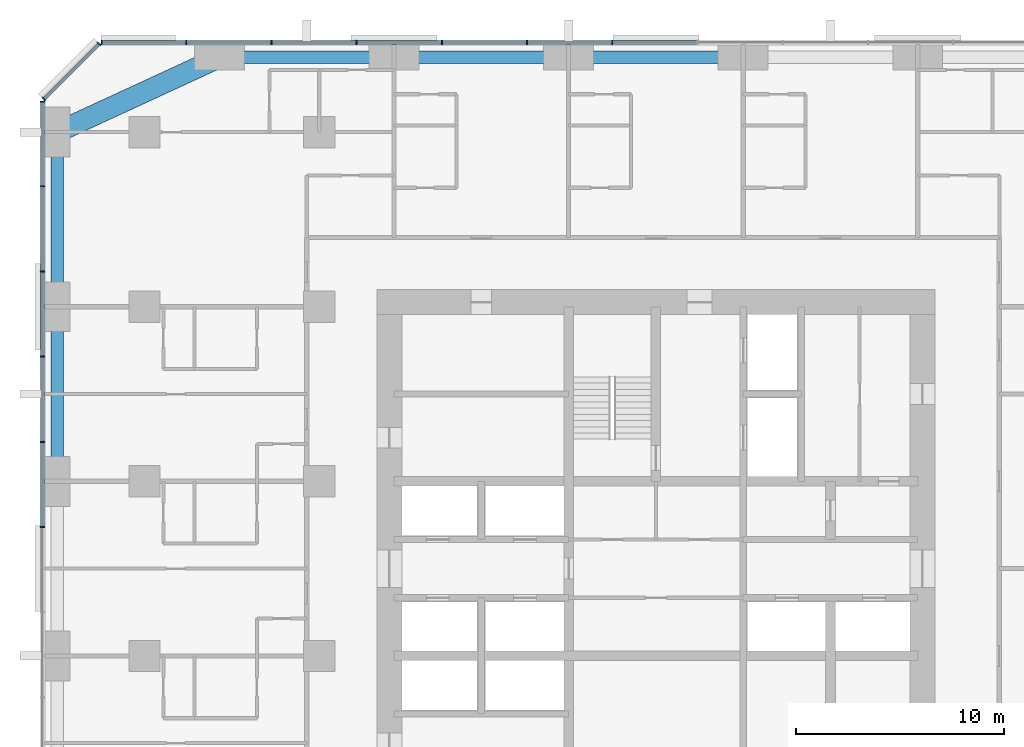
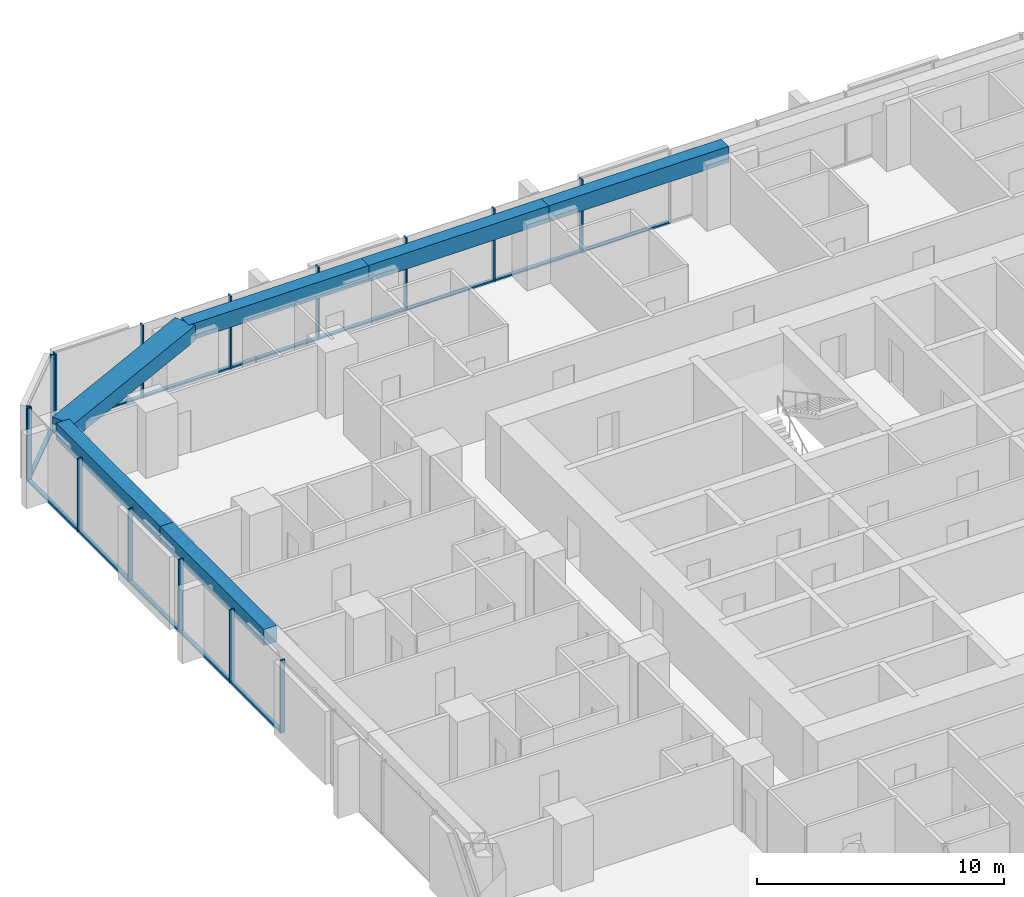
# One storey, part 5 of 14: 28 members, 6 beams, 3 elements without a shape of their own.
"""IFC4 building model written with IfcOpenShell, lengths in metres."""

from ifc_helpers import new_model, si_unit, direction, frame, origin, origin_2d, place, context, subcontext, project, spatial, rectangle, extrude, material, material_profile, profile_set, type_object, element, aggregate, save


model = new_model("IFC4")

# Units and contexts
model_context = context("Model", 3, precision=1e-05, world=origin(), true_north=direction((0.0, 1.0)))
body_context = subcontext(model_context, "Body", "Model", "MODEL_VIEW")
ifc_project = project(units=[si_unit("LENGTHUNIT", "METRE"), si_unit("AREAUNIT", "SQUARE_METRE"), si_unit("VOLUMEUNIT", "CUBIC_METRE"), si_unit("PLANEANGLEUNIT", "RADIAN"), si_unit("MASSUNIT", "GRAM", prefix="KILO")], contexts=[model_context])

# Site, building, storey
site_placement = place(None, origin())
site = spatial("IfcSite", under=ifc_project, at=site_placement, CompositionType="ELEMENT")
building_placement = place(site_placement, origin())
building = spatial("IfcBuilding", under=site, at=building_placement, Name="Dunama Terrace Hotel", CompositionType="ELEMENT")
storey_placement = place(building_placement, frame((0.0, 0.0, 100.800048828125)))
storey = spatial("IfcBuildingStorey", under=building, at=storey_placement, Name="L25", CompositionType="ELEMENT", Elevation=100.800048828125)

# Curtain wall, members
ifc_material_1 = material(Name="Aluminium curtain wall system", Category="aluminium")
curtain_wall_type = type_object("IfcCurtainWallType", Name="Unitised fritted glass wall CW-B", PredefinedType="NOTDEFINED", material=ifc_material_1)
curtain_wall_1_placement = place(storey_placement, origin())
curtain_wall_1 = element("IfcCurtainWall", 1, at=curtain_wall_1_placement, inside=storey, type_object=curtain_wall_type, Name="Unitised fritted glass wall CW-B L25", PredefinedType="NOTDEFINED")
ifc_material_2 = material(Name="Aluminium mullion", Category="aluminium")
ifc_material_profile_1 = material_profile(ifc_material_2, rectangle(XDim=0.06494140625, YDim=0.219970703125, at=origin_2d()), Name="CWB MULLION 65X220")
ifc_profile_set_1 = profile_set([ifc_material_profile_1], Name="Aluminium mullion")
member_type_1 = type_object("IfcMemberType", Name="CWB mullion 65x220", PredefinedType="MULLION", material=ifc_profile_set_1)
member_1_placement = place(storey_placement, frame((27.300048828125, 54.7099609375, 0.0), z_axis=(0.0, 0.0, 1.0), x_axis=(-1.0, 0.0, 0.0)))
member_1 = element("IfcMember", 2, at=member_1_placement, type_object=member_type_1, Name="CWB mullion", PredefinedType="MULLION", context=body_context, shape_type="SweptSolid", body=[
    extrude(rectangle(XDim=0.06494140625, YDim=0.219970703125, at=origin_2d()), origin(), (0.0, 0.0, 1.0), 3.599853515625),
])
member_2_placement = place(storey_placement, frame((23.199951171875, 54.7099609375, 0.0), z_axis=(0.0, 0.0, 1.0), x_axis=(-1.0, 0.0, 0.0)))
member_2 = element("IfcMember", 3, at=member_2_placement, type_object=member_type_1, Name="CWB mullion", PredefinedType="MULLION", context=body_context, shape_type="SweptSolid", body=[
    extrude(rectangle(XDim=0.06494140625, YDim=0.219970703125, at=origin_2d()), origin(), (0.0, 0.0, 1.0), 3.599853515625),
])
member_3_placement = place(storey_placement, frame((19.10009765625, 54.7099609375, 0.0), z_axis=(0.0, 0.0, 1.0), x_axis=(-1.0, 0.0, 0.0)))
member_3 = element("IfcMember", 4, at=member_3_placement, type_object=member_type_1, Name="CWB mullion", PredefinedType="MULLION", context=body_context, shape_type="SweptSolid", body=[
    extrude(rectangle(XDim=0.06494140625, YDim=0.219970703125, at=origin_2d()), origin(), (0.0, 0.0, 1.0), 3.599853515625),
])
member_4_placement = place(storey_placement, frame((15.0, 54.7099609375, 0.0), z_axis=(0.0, 0.0, 1.0), x_axis=(-1.0, 0.0, 0.0)))
member_4 = element("IfcMember", 5, at=member_4_placement, type_object=member_type_1, Name="CWB mullion", PredefinedType="MULLION", context=body_context, shape_type="SweptSolid", body=[
    extrude(rectangle(XDim=0.06494140625, YDim=0.219970703125, at=origin_2d()), origin(), (0.0, 0.0, 1.0), 3.599853515625),
])
member_5_placement = place(storey_placement, frame((10.89990234375, 54.7099609375, 0.0), z_axis=(0.0, 0.0, 1.0), x_axis=(-1.0, 0.0, 0.0)))
member_5 = element("IfcMember", 6, at=member_5_placement, type_object=member_type_1, Name="CWB mullion", PredefinedType="MULLION", context=body_context, shape_type="SweptSolid", body=[
    extrude(rectangle(XDim=0.06494140625, YDim=0.219970703125, at=origin_2d()), origin(), (0.0, 0.0, 1.0), 3.599853515625),
])
member_6_placement = place(storey_placement, frame((6.800048828125, 54.7099609375, 0.0), z_axis=(0.0, 0.0, 1.0), x_axis=(-1.0, 0.0, 0.0)))
member_6 = element("IfcMember", 7, at=member_6_placement, type_object=member_type_1, Name="CWB mullion", PredefinedType="MULLION", context=body_context, shape_type="SweptSolid", body=[
    extrude(rectangle(XDim=0.06494140625, YDim=0.219970703125, at=origin_2d()), origin(), (0.0, 0.0, 1.0), 3.599853515625),
])
member_7_placement = place(storey_placement, frame((2.73291015625, 54.7099609375, 0.0), z_axis=(0.0, 0.0, 1.0), x_axis=(-1.0, 0.0, 0.0)))
member_7 = element("IfcMember", 8, at=member_7_placement, type_object=member_type_1, Name="CWB mullion", PredefinedType="MULLION", context=body_context, shape_type="SweptSolid", body=[
    extrude(rectangle(XDim=0.06494140625, YDim=0.219970703125, at=origin_2d()), origin(), (0.0, 0.0, 1.0), 3.599853515625),
])

curtain_wall_2_placement = place(storey_placement, origin())
curtain_wall_2 = element("IfcCurtainWall", 9, at=curtain_wall_2_placement, inside=storey, type_object=curtain_wall_type, Name="Unitised fritted glass wall CW-B L25", PredefinedType="NOTDEFINED")
member_8_placement = place(storey_placement, frame((2.59912109375, 54.655029296875, 0.0), z_axis=(0.0, 0.0, 1.0), x_axis=(-0.707106781187, -0.707106781187, 0.0)))
member_8 = element("IfcMember", 10, at=member_8_placement, type_object=member_type_1, Name="CWB mullion", PredefinedType="MULLION", context=body_context, shape_type="SweptSolid", body=[
    extrude(rectangle(XDim=0.06494140625, YDim=0.219970703125, at=origin_2d()), origin(), (0.0, 0.0, 1.0), 3.599853515625),
])
member_9_placement = place(storey_placement, frame((-0.054931640625, 52.0009765625, 0.0), z_axis=(0.0, 0.0, 1.0), x_axis=(-0.707106781187, -0.707106781187, 0.0)))
member_9 = element("IfcMember", 11, at=member_9_placement, type_object=member_type_1, Name="CWB mullion", PredefinedType="MULLION", context=body_context, shape_type="SweptSolid", body=[
    extrude(rectangle(XDim=0.06494140625, YDim=0.219970703125, at=origin_2d()), origin(), (0.0, 0.0, 1.0), 3.599853515625),
])

curtain_wall_3_placement = place(storey_placement, origin())
curtain_wall_3 = element("IfcCurtainWall", 12, at=curtain_wall_3_placement, inside=storey, type_object=curtain_wall_type, Name="Unitised fritted glass wall CW-B L25", PredefinedType="NOTDEFINED")
member_10_placement = place(storey_placement, frame((-0.110107421875, 51.866943359375, 0.0), z_axis=(0.0, 0.0, 1.0), x_axis=(0.0, -1.0, 0.0)))
member_10 = element("IfcMember", 13, at=member_10_placement, type_object=member_type_1, Name="CWB mullion", PredefinedType="MULLION", context=body_context, shape_type="SweptSolid", body=[
    extrude(rectangle(XDim=0.06494140625, YDim=0.219970703125, at=origin_2d()), origin(), (0.0, 0.0, 1.0), 3.599853515625),
])
member_11_placement = place(storey_placement, frame((-0.110107421875, 47.800048828125, 0.0), z_axis=(0.0, 0.0, 1.0), x_axis=(0.0, -1.0, 0.0)))
member_11 = element("IfcMember", 14, at=member_11_placement, type_object=member_type_1, Name="CWB mullion", PredefinedType="MULLION", context=body_context, shape_type="SweptSolid", body=[
    extrude(rectangle(XDim=0.06494140625, YDim=0.219970703125, at=origin_2d()), origin(), (0.0, 0.0, 1.0), 3.599853515625),
])
member_12_placement = place(storey_placement, frame((-0.110107421875, 43.699951171875, 0.0), z_axis=(0.0, 0.0, 1.0), x_axis=(0.0, -1.0, 0.0)))
member_12 = element("IfcMember", 15, at=member_12_placement, type_object=member_type_1, Name="CWB mullion", PredefinedType="MULLION", context=body_context, shape_type="SweptSolid", body=[
    extrude(rectangle(XDim=0.06494140625, YDim=0.219970703125, at=origin_2d()), origin(), (0.0, 0.0, 1.0), 3.599853515625),
])
member_13_placement = place(storey_placement, frame((-0.110107421875, 39.60009765625, 0.0), z_axis=(0.0, 0.0, 1.0), x_axis=(0.0, -1.0, 0.0)))
member_13 = element("IfcMember", 16, at=member_13_placement, type_object=member_type_1, Name="CWB mullion", PredefinedType="MULLION", context=body_context, shape_type="SweptSolid", body=[
    extrude(rectangle(XDim=0.06494140625, YDim=0.219970703125, at=origin_2d()), origin(), (0.0, 0.0, 1.0), 3.599853515625),
])
member_14_placement = place(storey_placement, frame((-0.110107421875, 35.5, 0.0), z_axis=(0.0, 0.0, 1.0), x_axis=(0.0, -1.0, 0.0)))
member_14 = element("IfcMember", 17, at=member_14_placement, type_object=member_type_1, Name="CWB mullion", PredefinedType="MULLION", context=body_context, shape_type="SweptSolid", body=[
    extrude(rectangle(XDim=0.06494140625, YDim=0.219970703125, at=origin_2d()), origin(), (0.0, 0.0, 1.0), 3.599853515625),
])
member_15_placement = place(storey_placement, frame((-0.110107421875, 31.39990234375, 0.0), z_axis=(0.0, 0.0, 1.0), x_axis=(0.0, -1.0, 0.0)))
member_15 = element("IfcMember", 18, at=member_15_placement, type_object=member_type_1, Name="CWB mullion", PredefinedType="MULLION", context=body_context, shape_type="SweptSolid", body=[
    extrude(rectangle(XDim=0.06494140625, YDim=0.219970703125, at=origin_2d()), origin(), (0.0, 0.0, 1.0), 3.599853515625),
])

# Member
ifc_material_3 = material(Name="Aluminium transom", Category="aluminium")
ifc_material_profile_2 = material_profile(ifc_material_3, rectangle(XDim=0.179931640625, YDim=0.080078125, at=origin_2d()), Name="CWB TRANSOM 180X80")
ifc_profile_set_2 = profile_set([ifc_material_profile_2], Name="Aluminium transom")
member_type_2 = type_object("IfcMemberType", Name="CWB transom 180x80", PredefinedType="USERDEFINED", material=ifc_profile_set_2)
member_16_placement = place(storey_placement, frame((31.366943359375, 54.7099609375, 0.0400390625), z_axis=(-1.0, 0.0, 0.0), x_axis=(0.0, -1.0, 0.0)))
member_16 = element("IfcMember", 19, at=member_16_placement, type_object=member_type_2, Name="CWB transom", ObjectType="TRANSOM", PredefinedType="USERDEFINED", context=body_context, shape_type="SweptSolid", body=[
    extrude(rectangle(XDim=0.179931640625, YDim=0.080078125, at=origin_2d()), origin(), (0.0, 0.0, 1.0), 4.034912109375),
])

member_17_placement = place(storey_placement, frame((27.26806640625, 54.7099609375, 0.0400390625), z_axis=(-1.0, 0.0, 0.0), x_axis=(0.0, -1.0, 0.0)))
member_17 = element("IfcMember", 20, at=member_17_placement, type_object=member_type_2, Name="CWB transom", ObjectType="TRANSOM", PredefinedType="USERDEFINED", context=body_context, shape_type="SweptSolid", body=[
    extrude(rectangle(XDim=0.179931640625, YDim=0.080078125, at=origin_2d()), origin(), (0.0, 0.0, 1.0), 4.03515625),
])

member_18_placement = place(storey_placement, frame((23.16796875, 54.7099609375, 0.0400390625), z_axis=(-1.0, 0.0, 0.0), x_axis=(0.0, -1.0, 0.0)))
member_18 = element("IfcMember", 21, at=member_18_placement, type_object=member_type_2, Name="CWB transom", ObjectType="TRANSOM", PredefinedType="USERDEFINED", context=body_context, shape_type="SweptSolid", body=[
    extrude(rectangle(XDim=0.179931640625, YDim=0.080078125, at=origin_2d()), origin(), (0.0, 0.0, 1.0), 4.034912109375),
])

member_19_placement = place(storey_placement, frame((19.068115234375, 54.7099609375, 0.0400390625), z_axis=(-1.0, 0.0, 0.0), x_axis=(0.0, -1.0, 0.0)))
member_19 = element("IfcMember", 22, at=member_19_placement, type_object=member_type_2, Name="CWB transom", ObjectType="TRANSOM", PredefinedType="USERDEFINED", context=body_context, shape_type="SweptSolid", body=[
    extrude(rectangle(XDim=0.179931640625, YDim=0.080078125, at=origin_2d()), origin(), (0.0, 0.0, 1.0), 4.0361328125),
])

member_20_placement = place(storey_placement, frame((14.968017578125, 54.7099609375, 0.0400390625), z_axis=(-1.0, 0.0, 0.0), x_axis=(0.0, -1.0, 0.0)))
member_20 = element("IfcMember", 23, at=member_20_placement, type_object=member_type_2, Name="CWB transom", ObjectType="TRANSOM", PredefinedType="USERDEFINED", context=body_context, shape_type="SweptSolid", body=[
    extrude(rectangle(XDim=0.179931640625, YDim=0.080078125, at=origin_2d()), origin(), (0.0, 0.0, 1.0), 4.0361328125),
])

member_21_placement = place(storey_placement, frame((10.866943359375, 54.7099609375, 0.0400390625), z_axis=(-1.0, 0.0, 0.0), x_axis=(0.0, -1.0, 0.0)))
member_21 = element("IfcMember", 24, at=member_21_placement, type_object=member_type_2, Name="CWB transom", ObjectType="TRANSOM", PredefinedType="USERDEFINED", context=body_context, shape_type="SweptSolid", body=[
    extrude(rectangle(XDim=0.179931640625, YDim=0.080078125, at=origin_2d()), origin(), (0.0, 0.0, 1.0), 4.033935546875),
])

member_22_placement = place(storey_placement, frame((6.76806640625, 54.7099609375, 0.0400390625), z_axis=(-1.0, 0.0, 0.0), x_axis=(0.0, -1.0, 0.0)))
member_22 = element("IfcMember", 25, at=member_22_placement, type_object=member_type_2, Name="CWB transom", ObjectType="TRANSOM", PredefinedType="USERDEFINED", context=body_context, shape_type="SweptSolid", body=[
    extrude(rectangle(XDim=0.179931640625, YDim=0.080078125, at=origin_2d()), origin(), (0.0, 0.0, 1.0), 4.003173828125),
])

aggregate(curtain_wall_1, [member_1, member_2, member_3, member_4, member_5, member_6, member_7, member_16, member_17, member_18, member_19, member_20, member_21, member_22])

member_23_placement = place(storey_placement, frame((2.575927734375, 54.632080078125, 0.0400390625), z_axis=(-0.707073683909, -0.707139876915, 0.0), x_axis=(0.707139876915, -0.707073683909, 0.0)))
member_23 = element("IfcMember", 26, at=member_23_placement, type_object=member_type_2, Name="CWB transom", ObjectType="TRANSOM", PredefinedType="USERDEFINED", context=body_context, shape_type="SweptSolid", body=[
    extrude(rectangle(XDim=0.179931640625, YDim=0.080078125, at=origin_2d()), origin(), (0.0, 0.0, 1.0), 3.688232421875),
])

aggregate(curtain_wall_2, [member_8, member_9, member_23])

member_24_placement = place(storey_placement, frame((-0.110107421875, 51.8349609375, 0.0400390625), z_axis=(0.0, -1.0, 0.0), x_axis=(1.0, 0.0, 0.0)))
member_24 = element("IfcMember", 27, at=member_24_placement, type_object=member_type_2, Name="CWB transom", ObjectType="TRANSOM", PredefinedType="USERDEFINED", context=body_context, shape_type="SweptSolid", body=[
    extrude(rectangle(XDim=0.179931640625, YDim=0.080078125, at=origin_2d()), origin(), (0.0, 0.0, 1.0), 4.0029296875),
])

member_25_placement = place(storey_placement, frame((-0.110107421875, 47.76708984375, 0.0400390625), z_axis=(0.0, -1.0, 0.0), x_axis=(1.0, 0.0, 0.0)))
member_25 = element("IfcMember", 28, at=member_25_placement, type_object=member_type_2, Name="CWB transom", ObjectType="TRANSOM", PredefinedType="USERDEFINED", context=body_context, shape_type="SweptSolid", body=[
    extrude(rectangle(XDim=0.179931640625, YDim=0.080078125, at=origin_2d()), origin(), (0.0, 0.0, 1.0), 4.0341796875),
])

member_26_placement = place(storey_placement, frame((-0.110107421875, 43.6669921875, 0.0400390625), z_axis=(0.0, -1.0, 0.0), x_axis=(1.0, 0.0, 0.0)))
member_26 = element("IfcMember", 29, at=member_26_placement, type_object=member_type_2, Name="CWB transom", ObjectType="TRANSOM", PredefinedType="USERDEFINED", context=body_context, shape_type="SweptSolid", body=[
    extrude(rectangle(XDim=0.179931640625, YDim=0.080078125, at=origin_2d()), origin(), (0.0, 0.0, 1.0), 4.033935546875),
])

member_27_placement = place(storey_placement, frame((-0.110107421875, 39.56689453125, 0.0400390625), z_axis=(0.0, -1.0, 0.0), x_axis=(1.0, 0.0, 0.0)))
member_27 = element("IfcMember", 30, at=member_27_placement, type_object=member_type_2, Name="CWB transom", ObjectType="TRANSOM", PredefinedType="USERDEFINED", context=body_context, shape_type="SweptSolid", body=[
    extrude(rectangle(XDim=0.179931640625, YDim=0.080078125, at=origin_2d()), origin(), (0.0, 0.0, 1.0), 4.034912109375),
])

member_28_placement = place(storey_placement, frame((-0.110107421875, 35.468017578125, 0.0400390625), z_axis=(0.0, -1.0, 0.0), x_axis=(1.0, 0.0, 0.0)))
member_28 = element("IfcMember", 31, at=member_28_placement, type_object=member_type_2, Name="CWB transom", ObjectType="TRANSOM", PredefinedType="USERDEFINED", context=body_context, shape_type="SweptSolid", body=[
    extrude(rectangle(XDim=0.179931640625, YDim=0.080078125, at=origin_2d()), origin(), (0.0, 0.0, 1.0), 4.0361328125),
])

aggregate(curtain_wall_3, [member_10, member_11, member_12, member_13, member_14, member_15, member_24, member_25, member_26, member_27, member_28])

# Beams
ifc_material_4 = material(Name="Concrete C50/60", Category="concrete")
ifc_material_profile_3 = material_profile(ifc_material_4, rectangle(XDim=1.0, YDim=0.75, at=origin_2d()), Name="RC 1000x750")
ifc_profile_set_3 = profile_set([ifc_material_profile_3], Name="Concrete C50/60")
beam_type_1 = type_object("IfcBeamType", Name="Edge beam RC 1000x750", PredefinedType="SPANDREL", material=ifc_profile_set_3)
beam_1_placement = place(storey_placement, frame((8.39990234375, 54.0, 3.224853515625), z_axis=(-0.907951066374, -0.419076199598, 0.0), x_axis=(0.419076199598, -0.907951066374, 0.0)))
element("IfcBeam", 32, at=beam_1_placement, inside=storey, type_object=beam_type_1, Name="Corner edge beam under L26", PredefinedType="SPANDREL", context=body_context, shape_type="SweptSolid", body=[
    extrude(rectangle(XDim=1.0, YDim=0.75, at=origin_2d()), origin(), (0.0, 0.0, 1.0), 8.590576171875),
])
ifc_material_5 = material(Name="Concrete C40/50", Category="concrete")
ifc_material_profile_4 = material_profile(ifc_material_5, rectangle(XDim=0.60009765625, YDim=0.800048828125, at=origin_2d()), Name="RC 600x800")
ifc_profile_set_4 = profile_set([ifc_material_profile_4], Name="Concrete C40/50")
beam_type_2 = type_object("IfcBeamType", Name="Edge beam RC 600x800", PredefinedType="SPANDREL", material=ifc_profile_set_4)
for number, where, z_axis, x_axis, name in (
    (33, (0.60009765625, 33.60009765625, 3.199951171875), (0.0, 1.0, 0.0), (-1.0, 0.0, 0.0), "Edge beam under L26"),
    (34, (0.60009765625, 42.0, 3.199951171875), (0.0, 1.0, 0.0), (-1.0, 0.0, 0.0), "Edge beam under L26"),
):
    element("IfcBeam", number, at=place(storey_placement, frame(where, z_axis=z_axis, x_axis=x_axis)), inside=storey, type_object=beam_type_2, Name=name, PredefinedType="SPANDREL", context=body_context, shape_type="SweptSolid", body=[
        extrude(rectangle(XDim=0.60009765625, YDim=0.800048828125, at=origin_2d()), origin(), (0.0, 0.0, 1.0), 8.39990234375),
    ])
beam_2_placement = place(storey_placement, frame((8.39990234375, 54.0, 3.199951171875), z_axis=(1.0, 0.0, 0.0), x_axis=(0.0, 1.0, 0.0)))
element("IfcBeam", 35, at=beam_2_placement, inside=storey, type_object=beam_type_2, Name="Edge beam under L26", PredefinedType="SPANDREL", context=body_context, shape_type="SweptSolid", body=[
    extrude(rectangle(XDim=0.60009765625, YDim=0.800048828125, at=origin_2d()), origin(), (0.0, 0.0, 1.0), 8.400146484375),
])
beam_3_placement = place(storey_placement, frame((16.800048828125, 54.0, 3.199951171875), z_axis=(1.0, 0.0, 0.0), x_axis=(0.0, 1.0, 0.0)))
element("IfcBeam", 36, at=beam_3_placement, inside=storey, type_object=beam_type_2, Name="Edge beam under L26", PredefinedType="SPANDREL", context=body_context, shape_type="SweptSolid", body=[
    extrude(rectangle(XDim=0.60009765625, YDim=0.800048828125, at=origin_2d()), origin(), (0.0, 0.0, 1.0), 8.39990234375),
])
beam_4_placement = place(storey_placement, frame((25.199951171875, 54.0, 3.199951171875), z_axis=(1.0, 0.0, 0.0), x_axis=(0.0, 1.0, 0.0)))
element("IfcBeam", 37, at=beam_4_placement, inside=storey, type_object=beam_type_2, Name="Edge beam under L26", PredefinedType="SPANDREL", context=body_context, shape_type="SweptSolid", body=[
    extrude(rectangle(XDim=0.60009765625, YDim=0.800048828125, at=origin_2d()), origin(), (0.0, 0.0, 1.0), 8.400146484375),
])

save(model, "model.ifc")
